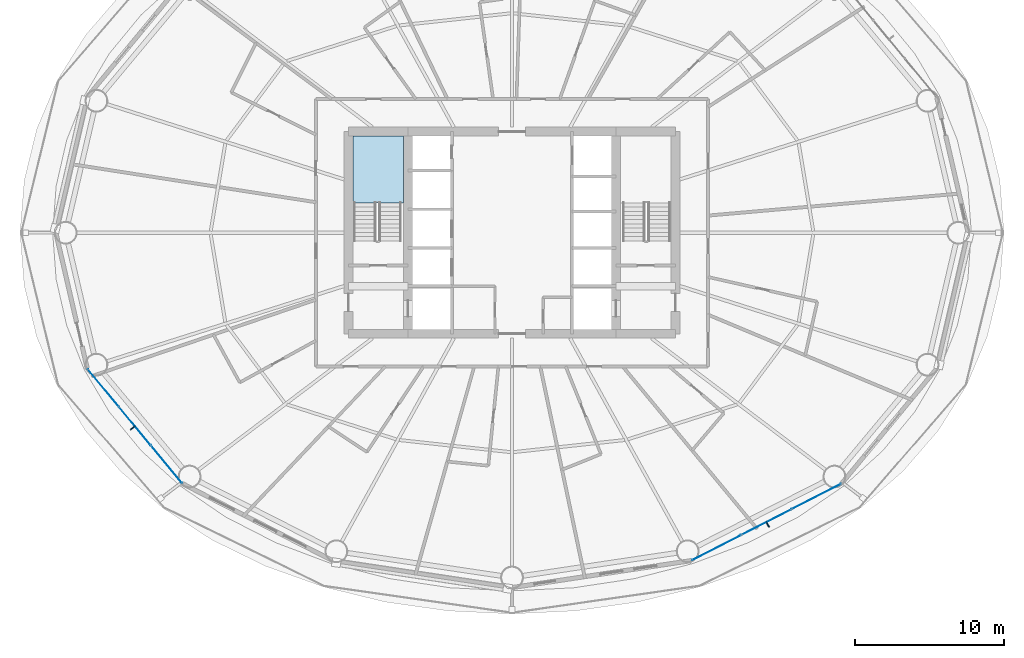
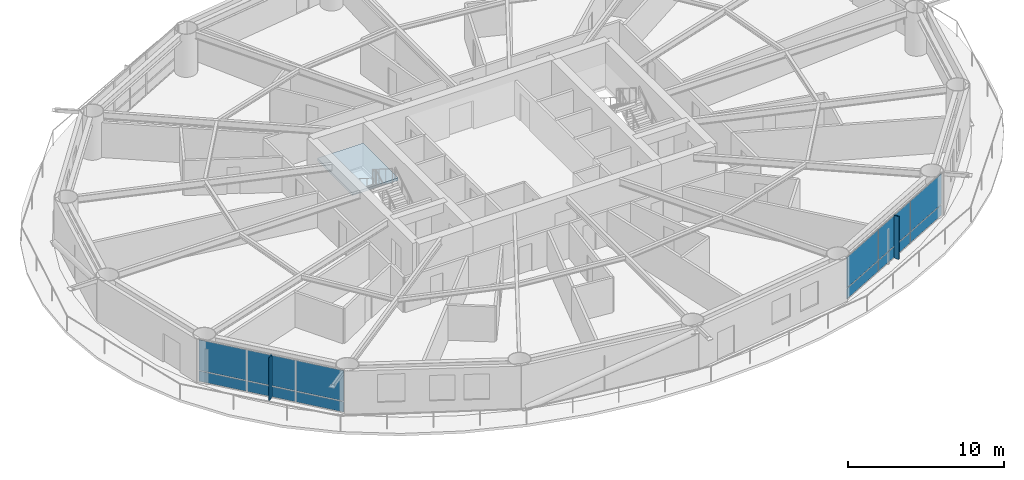
# One storey, part 18 of 28: 14 plates, 1 slab, 3 elements without a shape of their own.
"""IFC4 building model written with IfcOpenShell, lengths in metres."""

from ifc_helpers import new_model, si_unit, direction, frame, origin, origin_2d, place, context, subcontext, project, spatial, polyline, rectangle, outline, extrude, material, layer, layer_set, type_object, element, aggregate, save


model = new_model("IFC4")

# Units and contexts
model_context = context("Model", 3, precision=1e-05, world=origin(), true_north=direction((0.0, 1.0)))
body_context = subcontext(model_context, "Body", "Model", "MODEL_VIEW")
ifc_project = project(units=[si_unit("LENGTHUNIT", "METRE"), si_unit("AREAUNIT", "SQUARE_METRE"), si_unit("VOLUMEUNIT", "CUBIC_METRE"), si_unit("PLANEANGLEUNIT", "RADIAN"), si_unit("MASSUNIT", "GRAM", prefix="KILO")], contexts=[model_context])

# Site, building, storey
site_placement = place(None, origin())
site = spatial("IfcSite", under=ifc_project, at=site_placement, CompositionType="ELEMENT")
building_placement = place(site_placement, origin())
building = spatial("IfcBuilding", under=site, at=building_placement, Name="Sarneth Arch Tower", CompositionType="ELEMENT")
storey_placement = place(building_placement, frame((0.0, 0.0, 31.800048828125)))
storey = spatial("IfcBuildingStorey", under=building, at=storey_placement, Name="L06", CompositionType="ELEMENT", Elevation=31.800048828125)

# Curtain wall, plates
ifc_material_1 = material(Name="Anodised aluminium Type AA25 and solar-control low-e laminated IGU", Category="aluminium")
ifc_layer_1 = layer(ifc_material_1, 0.159912109375)
ifc_layer_set_1 = layer_set([ifc_layer_1], Name="Anodised aluminium Type AA25 and solar-control low-e laminated IGU")
curtain_wall_type = type_object("IfcCurtainWallType", Name="CW-HOTEL-LOW", PredefinedType="NOTDEFINED", material=ifc_layer_set_1)
curtain_wall_1_placement = place(storey_placement, origin())
curtain_wall_1 = element("IfcCurtainWall", 1, at=curtain_wall_1_placement, inside=storey, type_object=curtain_wall_type, Name="L06 Unitised curtain wall facet 10", PredefinedType="NOTDEFINED")
ifc_material_2 = material(Name="Solar-control low-e laminated IGU", Category="glass")
ifc_layer_2 = layer(ifc_material_2, 0.028076171875)
ifc_layer_set_2 = layer_set([ifc_layer_2], Name="Solar-control low-e laminated IGU")
plate_type_1 = type_object("IfcPlateType", Name="CW-PANEL", PredefinedType="CURTAIN_PANEL", material=ifc_layer_set_2)
plate_1_placement = place(storey_placement, frame((20.496337890625, 31.558837890625, 0.059814453125), z_axis=(0.0, 0.0, 1.0), x_axis=(0.637291340827, -0.770622960278, 0.0)))
plate_1 = element("IfcPlate", 2, at=plate_1_placement, type_object=plate_type_1, Name="Curtain wall glazed vision pane CW-L06-F10/P00-00", PredefinedType="CURTAIN_PANEL", context=body_context, shape_type="SweptSolid", body=[
    extrude(rectangle(XDim=3.260986328125, YDim=0.028076171875, at=origin_2d()), origin(), (0.0, 0.0, 1.0), 0.81005859375),
])
plate_2_placement = place(storey_placement, frame((20.496337890625, 31.558837890625, 0.93017578125), z_axis=(0.0, 0.0, 1.0), x_axis=(0.637291340827, -0.770622960278, 0.0)))
plate_2 = element("IfcPlate", 3, at=plate_2_placement, type_object=plate_type_1, Name="Curtain wall glazed vision pane CW-L06-F10/P00-01", PredefinedType="CURTAIN_PANEL", context=body_context, shape_type="SweptSolid", body=[
    extrude(rectangle(XDim=3.260986328125, YDim=0.028076171875, at=origin_2d()), origin(), (0.0, 0.0, 1.0), 2.389892578125),
])
plate_3_placement = place(storey_placement, frame((22.62255859375, 28.98779296875, 0.059814453125), z_axis=(0.0, 0.0, 1.0), x_axis=(0.637291340827, -0.770622960278, 0.0)))
plate_3 = element("IfcPlate", 4, at=plate_3_placement, type_object=plate_type_1, Name="Curtain wall glazed vision pane CW-L06-F10/P01-00", PredefinedType="CURTAIN_PANEL", context=body_context, shape_type="SweptSolid", body=[
    extrude(rectangle(XDim=3.291015625, YDim=0.028076171875, at=origin_2d()), origin(), (0.0, 0.0, 1.0), 0.81005859375),
])
plate_4_placement = place(storey_placement, frame((22.62255859375, 28.98779296875, 0.93017578125), z_axis=(0.0, 0.0, 1.0), x_axis=(0.637291340827, -0.770622960278, 0.0)))
plate_4 = element("IfcPlate", 5, at=plate_4_placement, type_object=plate_type_1, Name="Curtain wall glazed vision pane CW-L06-F10/P01-01", PredefinedType="CURTAIN_PANEL", context=body_context, shape_type="SweptSolid", body=[
    extrude(rectangle(XDim=3.291015625, YDim=0.028076171875, at=origin_2d()), origin(), (0.0, 0.0, 1.0), 2.389892578125),
])
plate_5_placement = place(storey_placement, frame((24.74853515625, 26.4169921875, 0.059814453125), z_axis=(0.0, 0.0, 1.0), x_axis=(0.637291340827, -0.770622960278, 0.0)))
plate_5 = element("IfcPlate", 6, at=plate_5_placement, type_object=plate_type_1, Name="Curtain wall glazed vision pane CW-L06-F10/P02-00", PredefinedType="CURTAIN_PANEL", context=body_context, shape_type="SweptSolid", body=[
    extrude(rectangle(XDim=3.260986328125, YDim=0.028076171875, at=origin_2d()), origin(), (0.0, 0.0, 1.0), 0.81005859375),
])
plate_6_placement = place(storey_placement, frame((24.74853515625, 26.4169921875, 0.93017578125), z_axis=(0.0, 0.0, 1.0), x_axis=(0.637291340827, -0.770622960278, 0.0)))
plate_6 = element("IfcPlate", 7, at=plate_6_placement, type_object=plate_type_1, Name="Curtain wall glazed vision pane CW-L06-F10/P02-01", PredefinedType="CURTAIN_PANEL", context=body_context, shape_type="SweptSolid", body=[
    extrude(rectangle(XDim=3.260986328125, YDim=0.028076171875, at=origin_2d()), origin(), (0.0, 0.0, 1.0), 2.389892578125),
])
aggregate(curtain_wall_1, [plate_1, plate_2, plate_3, plate_4, plate_5, plate_6])

curtain_wall_2_placement = place(storey_placement, origin())
curtain_wall_2 = element("IfcCurtainWall", 8, at=curtain_wall_2_placement, inside=storey, type_object=curtain_wall_type, Name="L06 Unitised curtain wall facet 14", PredefinedType="NOTDEFINED")
plate_7_placement = place(storey_placement, frame((61.77392578125, 20.807373046875, 0.059814453125), z_axis=(0.0, 0.0, 1.0), x_axis=(0.889854100456, 0.456245197127, 0.0)))
plate_7 = element("IfcPlate", 9, at=plate_7_placement, type_object=plate_type_1, Name="Curtain wall glazed vision pane CW-L06-F14/P00-00", PredefinedType="CURTAIN_PANEL", context=body_context, shape_type="SweptSolid", body=[
    extrude(rectangle(XDim=3.69189453125, YDim=0.028076171875, at=origin_2d()), origin(), (0.0, 0.0, 1.0), 0.81005859375),
])
plate_8_placement = place(storey_placement, frame((61.77392578125, 20.807373046875, 0.93017578125), z_axis=(0.0, 0.0, 1.0), x_axis=(0.889854100456, 0.456245197127, 0.0)))
plate_8 = element("IfcPlate", 10, at=plate_8_placement, type_object=plate_type_1, Name="Curtain wall glazed vision pane CW-L06-F14/P00-01", PredefinedType="CURTAIN_PANEL", context=body_context, shape_type="SweptSolid", body=[
    extrude(rectangle(XDim=3.69189453125, YDim=0.028076171875, at=origin_2d()), origin(), (0.0, 0.0, 1.0), 2.389892578125),
])
plate_9_placement = place(storey_placement, frame((65.1259765625, 22.526123046875, 0.059814453125), z_axis=(0.0, 0.0, 1.0), x_axis=(0.889854100456, 0.456245197127, 0.0)))
plate_9 = element("IfcPlate", 11, at=plate_9_placement, type_object=plate_type_1, Name="Curtain wall glazed vision pane CW-L06-F14/P01-00", PredefinedType="CURTAIN_PANEL", context=body_context, shape_type="SweptSolid", body=[
    extrude(rectangle(XDim=3.721923828125, YDim=0.028076171875, at=origin_2d()), origin(), (0.0, 0.0, 1.0), 0.81005859375),
])
plate_10_placement = place(storey_placement, frame((65.1259765625, 22.526123046875, 0.93017578125), z_axis=(0.0, 0.0, 1.0), x_axis=(0.889854100456, 0.456245197127, 0.0)))
plate_10 = element("IfcPlate", 12, at=plate_10_placement, type_object=plate_type_1, Name="Curtain wall glazed vision pane CW-L06-F14/P01-01", PredefinedType="CURTAIN_PANEL", context=body_context, shape_type="SweptSolid", body=[
    extrude(rectangle(XDim=3.721923828125, YDim=0.028076171875, at=origin_2d()), origin(), (0.0, 0.0, 1.0), 2.389892578125),
])
plate_11_placement = place(storey_placement, frame((68.47802734375, 24.24462890625, 0.059814453125), z_axis=(0.0, 0.0, 1.0), x_axis=(0.889854100456, 0.456245197127, 0.0)))
plate_11 = element("IfcPlate", 13, at=plate_11_placement, type_object=plate_type_1, Name="Curtain wall glazed vision pane CW-L06-F14/P02-00", PredefinedType="CURTAIN_PANEL", context=body_context, shape_type="SweptSolid", body=[
    extrude(rectangle(XDim=3.69189453125, YDim=0.028076171875, at=origin_2d()), origin(), (0.0, 0.0, 1.0), 0.81005859375),
])
plate_12_placement = place(storey_placement, frame((68.47802734375, 24.24462890625, 0.93017578125), z_axis=(0.0, 0.0, 1.0), x_axis=(0.889854100456, 0.456245197127, 0.0)))
plate_12 = element("IfcPlate", 14, at=plate_12_placement, type_object=plate_type_1, Name="Curtain wall glazed vision pane CW-L06-F14/P02-01", PredefinedType="CURTAIN_PANEL", context=body_context, shape_type="SweptSolid", body=[
    extrude(rectangle(XDim=3.69189453125, YDim=0.028076171875, at=origin_2d()), origin(), (0.0, 0.0, 1.0), 2.389892578125),
])
aggregate(curtain_wall_2, [plate_7, plate_8, plate_9, plate_10, plate_11, plate_12])

# Plates
ifc_material_3 = material(Name="Extruded glazed terracotta baguette fin on Aluminium 6063-T6 carrier", Category="masonry")
ifc_layer_3 = layer(ifc_material_3, 0.080078125)
ifc_layer_set_3 = layer_set([ifc_layer_3], Name="Extruded glazed terracotta baguette fin on Aluminium 6063-T6 carrier")
plate_type_2 = type_object("IfcPlateType", Name="SHADE-TERRA-FIN", PredefinedType="SHEET", material=ifc_layer_set_3)
for number, where, z_axis, x_axis, name in (
    (15, (22.491455078125, 28.879638671875, 0.009765625), (0.0, 0.0, 1.0), (-0.770624482513, -0.637289500111, 0.0), "L06 Terracotta vertical shading fin 10"),
    (16, (65.20361328125, 22.374755859375, 0.009765625), (0.0, 0.0, 1.0), (0.4563215909, -0.889814927768, 0.0), "L06 Terracotta vertical shading fin 14"),
):
    element("IfcPlate", number, at=place(storey_placement, frame(where, z_axis=z_axis, x_axis=x_axis)), inside=storey, type_object=plate_type_2, Name=name, PredefinedType="SHEET", context=body_context, shape_type="SweptSolid", body=[
        extrude(rectangle(XDim=0.419921875, YDim=0.080078125, at=origin_2d()), origin(), (0.0, 0.0, 1.0), 3.360107421875),
    ])

# Stair, slab
ifc_material_4 = material(Name="Concrete C50/60", Category="concrete")
stair_type = type_object("IfcStairType", Name="STAIR-CORE-RC", PredefinedType="HALF_TURN_STAIR", material=ifc_material_4)
stair_placement = place(storey_placement, origin())
stair = element("IfcStair", 17, at=stair_placement, inside=storey, type_object=stair_type, Name="L06 Core Exit Stair 1", PredefinedType="HALF_TURN_STAIR")
ifc_material_5 = material(Name="Concrete C50/60", Category="concrete")
ifc_layer_4 = layer(ifc_material_5, 0.199951171875)
ifc_layer_set_4 = layer_set([ifc_layer_4], Name="Concrete C50/60")
slab_type = type_object("IfcSlabType", Name="SLAB-LANDING-200", PredefinedType="LANDING", material=ifc_layer_set_4)
slab_placement = place(storey_placement, frame((0.0, 0.0, 1.599853515625)))
slab = element("IfcSlab", 18, at=slab_placement, type_object=slab_type, Name="ST-1 landing 1", PredefinedType="LANDING", context=body_context, shape_type="SweptSolid", body=[
    extrude(outline(polyline([(37.300048828125, 43.985107421875), (40.699951171875, 43.985107421875), (40.699951171875, 48.5), (37.300048828125, 48.5), (37.300048828125, 43.985107421875)])), origin(), (0.0, 0.0, 1.0), 0.2001953125),
])
aggregate(stair, [slab])

save(model, "model.ifc")
